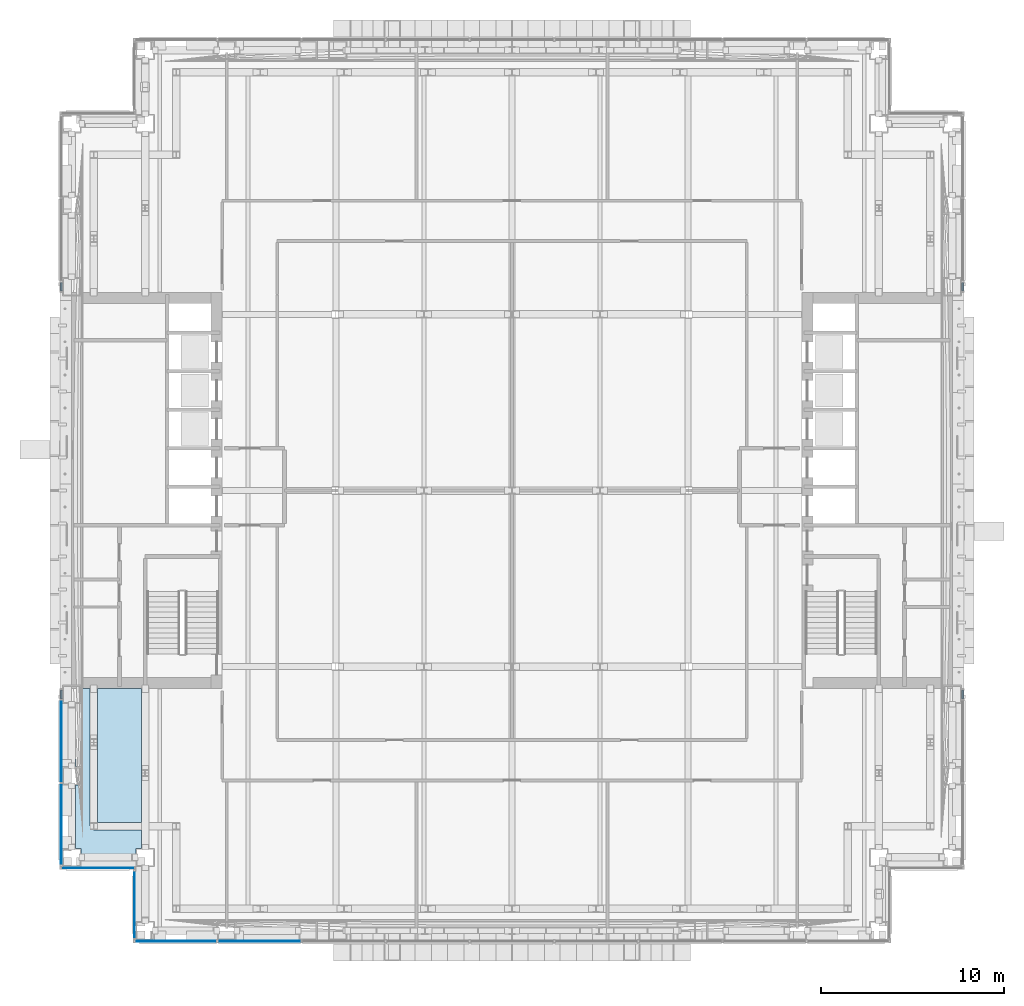
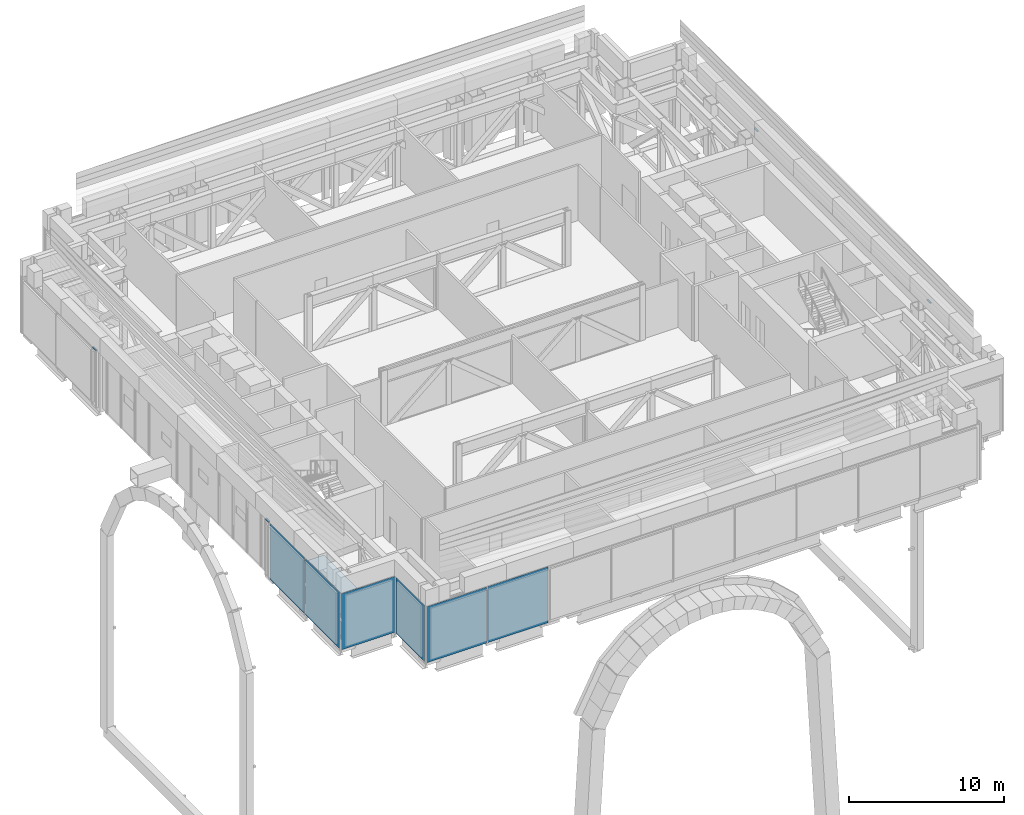
# One storey, part 11 of 39: 6 plates, 4 members, 1 slab, 7 elements without a shape of their own.
"""IFC4 building model written with IfcOpenShell, lengths in metres."""

from ifc_helpers import new_model, si_unit, direction, frame, origin, origin_2d, place, context, subcontext, project, spatial, polyline, rectangle, outline, extrude, material, layer, layer_set, material_profile, profile_set, type_object, element, aggregate, save


model = new_model("IFC4")

# Units and contexts
model_context = context("Model", 3, precision=1e-05, world=origin(), true_north=direction((0.0, 1.0)))
body_context = subcontext(model_context, "Body", "Model", "MODEL_VIEW")
ifc_project = project(units=[si_unit("LENGTHUNIT", "METRE"), si_unit("AREAUNIT", "SQUARE_METRE"), si_unit("VOLUMEUNIT", "CUBIC_METRE"), si_unit("PLANEANGLEUNIT", "RADIAN"), si_unit("MASSUNIT", "GRAM", prefix="KILO")], contexts=[model_context])

# Site, building, storey
site_placement = place(None, origin())
site = spatial("IfcSite", under=ifc_project, at=site_placement, CompositionType="ELEMENT")
building_placement = place(site_placement, origin())
building = spatial("IfcBuilding", under=site, at=building_placement, Name="Cobrizo Arcos Hotel Tower", CompositionType="ELEMENT")
storey_placement = place(building_placement, frame((0.0, 0.0, 84.5)))
storey = spatial("IfcBuildingStorey", under=building, at=storey_placement, Name="L20", CompositionType="ELEMENT", Elevation=84.5)

# Curtain wall, member
ifc_material_1 = material(Name="Aluminium 6063-T6 anodised bronze", Category="aluminium")
curtain_wall_type = type_object("IfcCurtainWallType", Name="CW-D plant louvre wall", PredefinedType="NOTDEFINED", material=ifc_material_1)
curtain_wall_1_placement = place(storey_placement, origin())
curtain_wall_1 = element("IfcCurtainWall", 1, at=curtain_wall_1_placement, inside=storey, type_object=curtain_wall_type, Name="CW-D L20 E face", PredefinedType="NOTDEFINED")
ifc_material_profile = material_profile(ifc_material_1, rectangle(XDim=0.10009765625, YDim=0.10009765625, at=origin_2d()), Name="CW-D transom 100x100")
ifc_profile_set = profile_set([ifc_material_profile], Name="Aluminium 6063-T6 anodised bronze")
member_type = type_object("IfcMemberType", Name="CW-D transom 100x100", PredefinedType="USERDEFINED", material=ifc_profile_set)
member_1_placement = place(storey_placement, frame((24.574951171875, -11.3388671875, 4.449951171875), z_axis=(0.0, 1.0, 0.0), x_axis=(-1.0, 0.0, 0.0)))
member_1 = element("IfcMember", 2, at=member_1_placement, type_object=member_type, Name="CW-D transom 826", ObjectType="TRANSOM", PredefinedType="USERDEFINED", context=body_context, shape_type="SweptSolid", body=[
    extrude(rectangle(XDim=0.10009765625, YDim=0.10009765625, at=origin_2d()), origin(), (0.0, 0.0, 1.0), 0.43896484375),
])
aggregate(curtain_wall_1, [member_1])

curtain_wall_2_placement = place(storey_placement, origin())
curtain_wall_2 = element("IfcCurtainWall", 3, at=curtain_wall_2_placement, inside=storey, type_object=curtain_wall_type, Name="CW-D L20 E face", PredefinedType="NOTDEFINED")
member_2_placement = place(storey_placement, frame((24.574951171875, 10.89990234375, 4.449951171875), z_axis=(0.0, 1.0, 0.0), x_axis=(-1.0, 0.0, 0.0)))
member_2 = element("IfcMember", 4, at=member_2_placement, type_object=member_type, Name="CW-D transom 827", ObjectType="TRANSOM", PredefinedType="USERDEFINED", context=body_context, shape_type="SweptSolid", body=[
    extrude(rectangle(XDim=0.10009765625, YDim=0.10009765625, at=origin_2d()), origin(), (0.0, 0.0, 1.0), 0.43896484375),
])
aggregate(curtain_wall_2, [member_2])

curtain_wall_3_placement = place(storey_placement, origin())
curtain_wall_3 = element("IfcCurtainWall", 5, at=curtain_wall_3_placement, inside=storey, type_object=curtain_wall_type, Name="CW-D L20 W face", PredefinedType="NOTDEFINED")
member_3_placement = place(storey_placement, frame((-24.574951171875, 11.3388671875, 4.449951171875), z_axis=(0.0, -1.0, 0.0), x_axis=(1.0, 0.0, 0.0)))
member_3 = element("IfcMember", 6, at=member_3_placement, type_object=member_type, Name="CW-D transom 845", ObjectType="TRANSOM", PredefinedType="USERDEFINED", context=body_context, shape_type="SweptSolid", body=[
    extrude(rectangle(XDim=0.10009765625, YDim=0.10009765625, at=origin_2d()), origin(), (0.0, 0.0, 1.0), 0.43896484375),
])
aggregate(curtain_wall_3, [member_3])

curtain_wall_4_placement = place(storey_placement, origin())
curtain_wall_4 = element("IfcCurtainWall", 7, at=curtain_wall_4_placement, inside=storey, type_object=curtain_wall_type, Name="CW-D L20 W face", PredefinedType="NOTDEFINED")
member_4_placement = place(storey_placement, frame((-24.574951171875, -10.89990234375, 4.449951171875), z_axis=(0.0, -1.0, 0.0), x_axis=(1.0, 0.0, 0.0)))
member_4 = element("IfcMember", 8, at=member_4_placement, type_object=member_type, Name="CW-D transom 846", ObjectType="TRANSOM", PredefinedType="USERDEFINED", context=body_context, shape_type="SweptSolid", body=[
    extrude(rectangle(XDim=0.10009765625, YDim=0.10009765625, at=origin_2d()), origin(), (0.0, 0.0, 1.0), 0.43896484375),
])

# Curtain wall, plates
curtain_wall_5_placement = place(storey_placement, origin())
curtain_wall_5 = element("IfcCurtainWall", 9, at=curtain_wall_5_placement, inside=storey, type_object=curtain_wall_type, Name="CW-D L20 S face", PredefinedType="NOTDEFINED")
ifc_material_2 = material(Name="Aluminium composite panel pale metal", Category="aluminium")
ifc_layer_1 = layer(ifc_material_2, 0.06005859375)
ifc_layer_set_1 = layer_set([ifc_layer_1], Name="CW-D spandrel panel")
plate_type = type_object("IfcPlateType", Name="CW-D spandrel panel", PredefinedType="CURTAIN_PANEL", material=ifc_layer_set_1)
plate_1_placement = place(storey_placement, frame((-18.33056640625, -24.574951171875, 0.0), z_axis=(0.0, 0.0, 1.0), x_axis=(1.0, 0.0, 0.0)))
plate_1 = element("IfcPlate", 10, at=plate_1_placement, type_object=plate_type, Name="CW-D insulated panel 813", PredefinedType="CURTAIN_PANEL", context=body_context, shape_type="SweptSolid", body=[
    extrude(rectangle(XDim=4.43896484375, YDim=0.0400390625, at=origin_2d()), origin(), (0.0, 0.0, 1.0), 4.39990234375),
])
plate_2_placement = place(storey_placement, frame((-13.7666015625, -24.574951171875, 0.0), z_axis=(0.0, 0.0, 1.0), x_axis=(1.0, 0.0, 0.0)))
plate_2 = element("IfcPlate", 11, at=plate_2_placement, type_object=plate_type, Name="CW-D insulated panel 814", PredefinedType="CURTAIN_PANEL", context=body_context, shape_type="SweptSolid", body=[
    extrude(rectangle(XDim=4.48876953125, YDim=0.0400390625, at=origin_2d()), origin(), (0.0, 0.0, 1.0), 4.39990234375),
])
aggregate(curtain_wall_5, [plate_1, plate_2])

# Plate
plate_3_placement = place(storey_placement, frame((-24.574951171875, -13.666748046875, 0.0), z_axis=(0.0, 0.0, 1.0), x_axis=(0.0, -1.0, 0.0)))
plate_3 = element("IfcPlate", 12, at=plate_3_placement, type_object=plate_type, Name="CW-D insulated panel 847", PredefinedType="CURTAIN_PANEL", context=body_context, shape_type="SweptSolid", body=[
    extrude(rectangle(XDim=4.45556640625, YDim=0.0400390625, at=origin_2d()), origin(), (0.0, 0.0, 1.0), 4.39990234375),
])

plate_4_placement = place(storey_placement, frame((-24.574951171875, -18.197265625, 0.0), z_axis=(0.0, 0.0, 1.0), x_axis=(0.0, -1.0, 0.0)))
plate_4 = element("IfcPlate", 13, at=plate_4_placement, type_object=plate_type, Name="CW-D insulated panel 848", PredefinedType="CURTAIN_PANEL", context=body_context, shape_type="SweptSolid", body=[
    extrude(rectangle(XDim=4.405517578125, YDim=0.0400390625, at=origin_2d()), origin(), (0.0, 0.0, 1.0), 4.39990234375),
])

aggregate(curtain_wall_4, [member_4, plate_3, plate_4])

# Curtain wall, plate
curtain_wall_6_placement = place(storey_placement, origin())
curtain_wall_6 = element("IfcCurtainWall", 14, at=curtain_wall_6_placement, inside=storey, type_object=curtain_wall_type, Name="CW-D L20 S face", PredefinedType="NOTDEFINED")
plate_5_placement = place(storey_placement, frame((-22.574951171875, -20.574951171875, 0.0), z_axis=(0.0, 0.0, 1.0), x_axis=(1.0, 0.0, 0.0)))
plate_5 = element("IfcPlate", 15, at=plate_5_placement, type_object=plate_type, Name="CW-D insulated panel 849", PredefinedType="CURTAIN_PANEL", context=body_context, shape_type="SweptSolid", body=[
    extrude(rectangle(XDim=3.949951171875, YDim=0.0400390625, at=origin_2d()), origin(), (0.0, 0.0, 1.0), 4.39990234375),
])
aggregate(curtain_wall_6, [plate_5])

curtain_wall_7_placement = place(storey_placement, origin())
curtain_wall_7 = element("IfcCurtainWall", 16, at=curtain_wall_7_placement, inside=storey, type_object=curtain_wall_type, Name="CW-D L20 W face", PredefinedType="NOTDEFINED")
plate_6_placement = place(storey_placement, frame((-20.574951171875, -22.574951171875, 0.0), z_axis=(0.0, 0.0, 1.0), x_axis=(0.0, -1.0, 0.0)))
plate_6 = element("IfcPlate", 17, at=plate_6_placement, type_object=plate_type, Name="CW-D insulated panel 850", PredefinedType="CURTAIN_PANEL", context=body_context, shape_type="SweptSolid", body=[
    extrude(rectangle(XDim=3.64990234375, YDim=0.0400390625, at=origin_2d()), origin(), (0.0, 0.0, 1.0), 4.39990234375),
])
aggregate(curtain_wall_7, [plate_6])

# Slab
ifc_material_3 = material(Name="Concrete f'c 35 MPa", Category="concrete")
ifc_layer_2 = layer(ifc_material_3, 0.300048828125)
ifc_layer_set_2 = layer_set([ifc_layer_2], Name="Composite floor slab 300 f'c 35")
slab_type = type_object("IfcSlabType", Name="Composite floor slab 300 f'c 35", PredefinedType="FLOOR", material=ifc_layer_set_2)
slab_placement = place(storey_placement, frame((0.0, 0.0, -0.300048828125)))
element("IfcSlab", 18, at=slab_placement, inside=storey, type_object=slab_type, Name="Floor slab S2, L20, no. 05", PredefinedType="FLOOR", context=body_context, shape_type="SweptSolid", body=[
    extrude(outline(polyline([(-23.5, -19.799560546875), (-23.5, -19.5), (-23.799560546875, -19.5), (-23.799560546875, -16.055908203125), (-23.5, -16.055908203125), (-23.5, -15.055908203125), (-23.799560546875, -15.055908203125), (-23.799560546875, -11.611083984375), (-23.5, -11.611083984375), (-23.5, -10.800048828125), (-20.200439453125, -10.800048828125), (-20.200439453125, -18.099609375), (-22.599609375, -18.099609375), (-22.599609375, -10.801025390625), (-23.00048828125, -10.801025390625), (-23.00048828125, -18.300048828125), (-22.800048828125, -18.300048828125), (-22.800048828125, -18.50048828125), (-20.200439453125, -18.50048828125), (-20.200439453125, -19.5), (-20.5, -19.5), (-20.5, -19.799560546875), (-23.5, -19.799560546875)])), origin(), (0.0, 0.0, 1.0), 0.300048828125),
])

save(model, "model.ifc")
